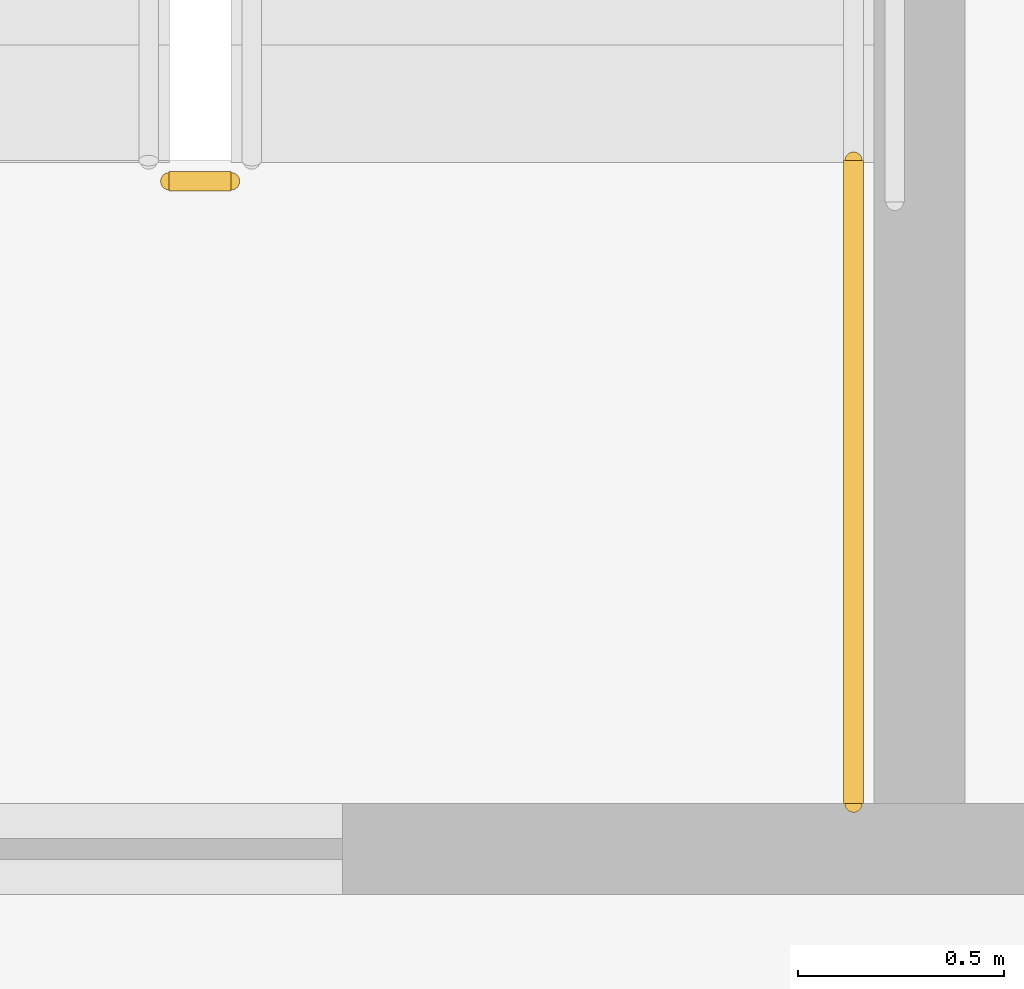
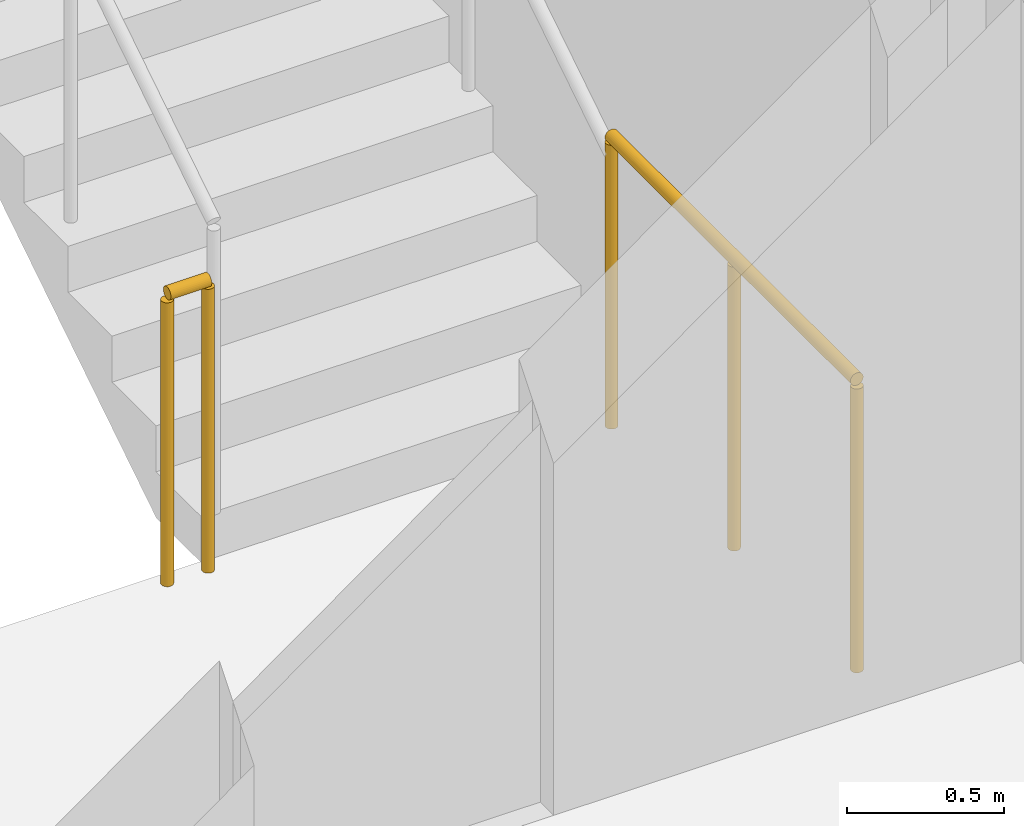
# One storey, part 23 of 31: 2 railings.
"""IFC4 building model written with IfcOpenShell, lengths in metres."""

from ifc_helpers import new_model, si_unit, direction, frame, origin, origin_2d, place, context, subcontext, project, spatial, circle, extrude, material, type_object, element, save


model = new_model("IFC4")

# Units and contexts
model_context = context("Model", 3, precision=1e-05, world=origin(), true_north=direction((0.0, 1.0)))
body_context = subcontext(model_context, "Body", "Model", "MODEL_VIEW")
ifc_project = project(units=[si_unit("LENGTHUNIT", "METRE"), si_unit("AREAUNIT", "SQUARE_METRE"), si_unit("VOLUMEUNIT", "CUBIC_METRE"), si_unit("PLANEANGLEUNIT", "RADIAN"), si_unit("MASSUNIT", "GRAM", prefix="KILO")], contexts=[model_context])

# Site, building, storey
site_placement = place(None, origin())
site = spatial("IfcSite", under=ifc_project, at=site_placement, CompositionType="ELEMENT")
building_placement = place(site_placement, origin())
building = spatial("IfcBuilding", under=site, at=building_placement, Name="Khairoan Windgate Tower", CompositionType="ELEMENT")
storey_placement = place(building_placement, frame((0.0, 0.0, 6.0)))
storey = spatial("IfcBuildingStorey", under=building, at=storey_placement, Name="L02", CompositionType="ELEMENT", Elevation=6.0)

# Railings
ifc_material = material(Name="Steel S355", Category="steel")
railing_type = type_object("IfcRailingType", Name="Stairwell Safety Guardrail SGR-1150", PredefinedType="GUARDRAIL", material=ifc_material)
railing_1_placement = place(storey_placement, frame((-17.7099609375, 2.909912109375, 0.0)))
element("IfcRailing", 1, at=railing_1_placement, inside=storey, type_object=railing_type, Name="L02 ST2 stair guard 7", PredefinedType="GUARDRAIL", context=body_context, shape_type="SweptSolid", body=[
    extrude(circle(Radius=0.02392578125, at=origin_2d()), frame((0.0, 0.0, 1.1259765625), z_axis=(-1.0, 0.0, 0.0), x_axis=(0.0, -1.0, 0.0)), (0.0, 0.0, 1.0), 0.150146484375),
    extrude(circle(Radius=0.02099609375, at=origin_2d()), origin(), (0.0, 0.0, 1.0), 1.101806640625),
    extrude(circle(Radius=0.02099609375, at=origin_2d()), frame((-0.150146484375, 0.0, 0.0)), (0.0, 0.0, 1.0), 1.101806640625),
])
railing_2_placement = place(storey_placement, frame((-16.199951171875, 1.39990234375, 0.0)))
element("IfcRailing", 2, at=railing_2_placement, inside=storey, type_object=railing_type, Name="L02 ST2 stair guard 8", PredefinedType="GUARDRAIL", context=body_context, shape_type="SweptSolid", body=[
    extrude(circle(Radius=0.02392578125, at=origin_2d()), frame((0.0, 0.0, 1.1259765625), z_axis=(0.0, 1.0, 0.0), x_axis=(-1.0, 0.0, 0.0)), (0.0, 0.0, 1.0), 1.56005859375),
    extrude(circle(Radius=0.02099609375, at=origin_2d()), origin(), (0.0, 0.0, 1.0), 1.101806640625),
    extrude(circle(Radius=0.02099609375, at=origin_2d()), frame((0.0, 0.780029296875, 0.0)), (0.0, 0.0, 1.0), 1.101806640625),
    extrude(circle(Radius=0.02099609375, at=origin_2d()), frame((0.0, 1.56005859375, 0.0)), (0.0, 0.0, 1.0), 1.101806640625),
])

save(model, "model.ifc")
